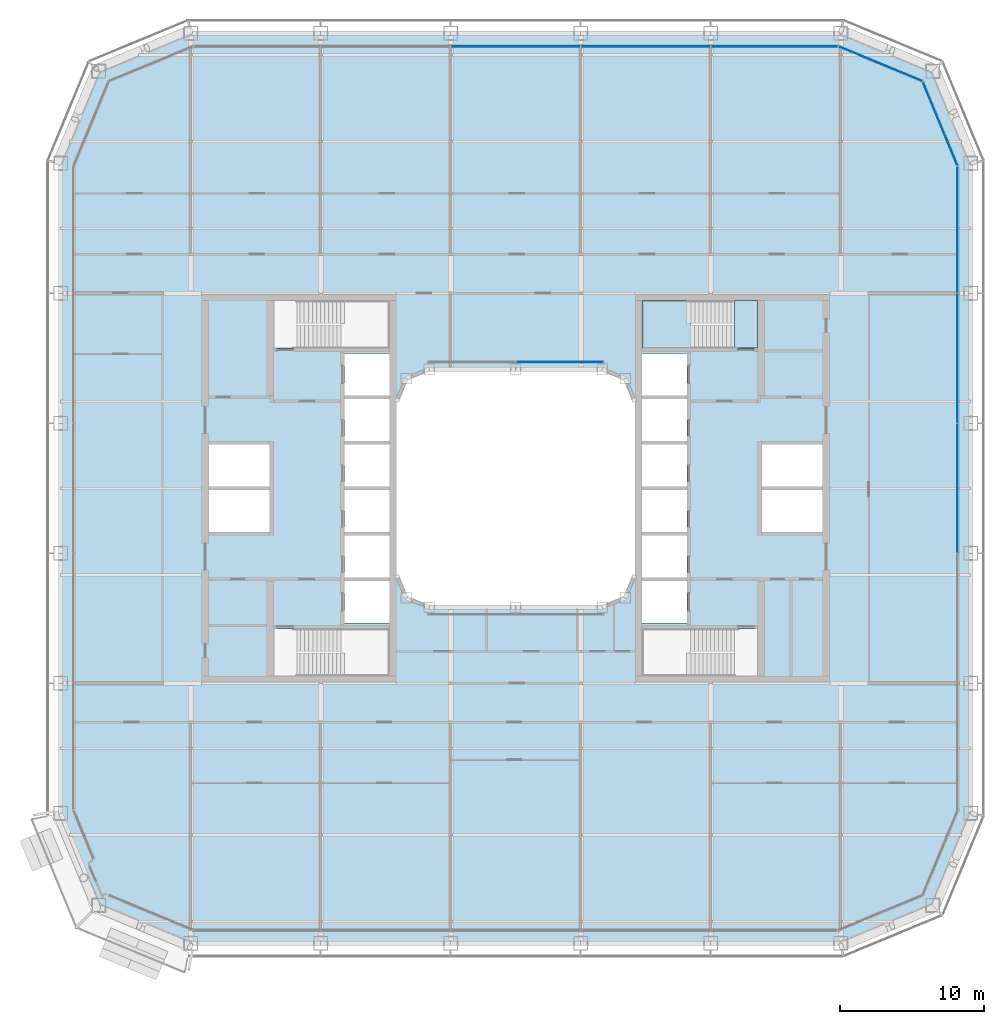
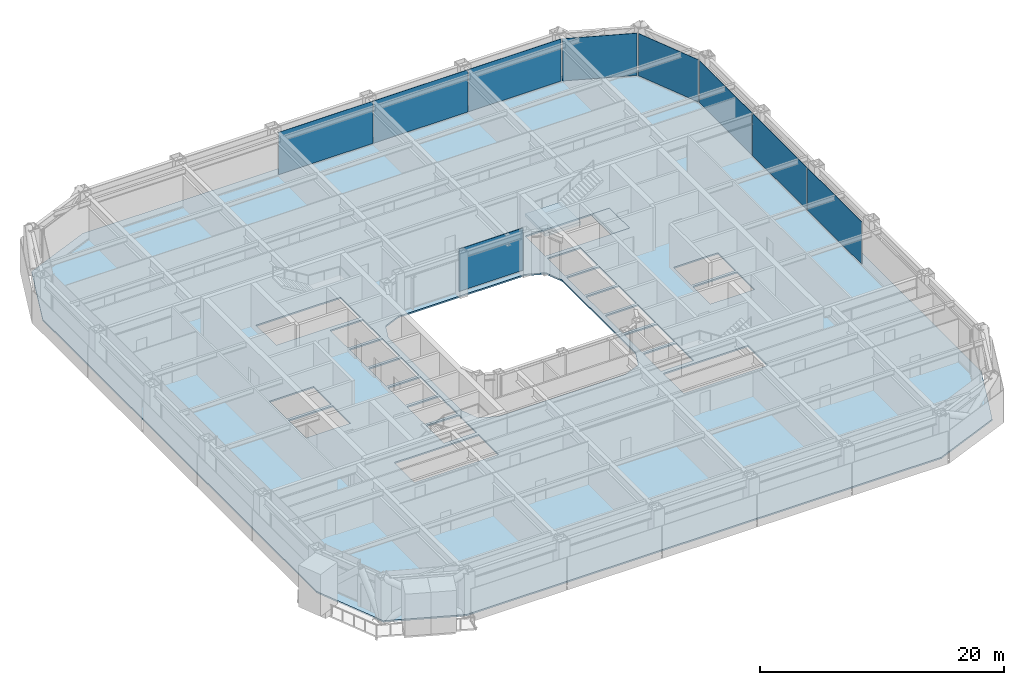
# One storey, part 12 of 27: 9 plates, 3 slabs, 6 elements without a shape of their own.
"""IFC4 building model written with IfcOpenShell, lengths in metres."""

from ifc_helpers import new_model, si_unit, direction, frame, origin, origin_2d, place, context, subcontext, project, spatial, polyline, rectangle, outline, extrude, material, layer, layer_set, type_object, element, aggregate, save


model = new_model("IFC4")

# Units and contexts
model_context = context("Model", 3, precision=1e-05, world=origin(), true_north=direction((0.0, 1.0)))
body_context = subcontext(model_context, "Body", "Model", "MODEL_VIEW")
ifc_project = project(units=[si_unit("LENGTHUNIT", "METRE"), si_unit("AREAUNIT", "SQUARE_METRE"), si_unit("VOLUMEUNIT", "CUBIC_METRE"), si_unit("PLANEANGLEUNIT", "RADIAN"), si_unit("MASSUNIT", "GRAM", prefix="KILO")], contexts=[model_context])

# Site, building, storey
site_placement = place(None, origin())
site = spatial("IfcSite", under=ifc_project, at=site_placement, CompositionType="ELEMENT")
building_placement = place(site_placement, origin())
building = spatial("IfcBuilding", under=site, at=building_placement, Name="Siwar Civic Tower", CompositionType="ELEMENT")
storey_placement = place(building_placement, frame((0.0, 0.0, 71.699951171875)))
storey = spatial("IfcBuildingStorey", under=building, at=storey_placement, Name="L15", CompositionType="ELEMENT", Elevation=71.699951171875)

# Stair, slabs
ifc_material_1 = material(Name="Concrete C40/50", Category="concrete")
stair_type = type_object("IfcStairType", Name="CORE-STAIR", PredefinedType="TWO_STRAIGHT_RUN_STAIR", material=ifc_material_1)
stair_placement = place(storey_placement, origin())
stair = element("IfcStair", 1, at=stair_placement, inside=storey, type_object=stair_type, Name="Exit stair ST3", PredefinedType="TWO_STRAIGHT_RUN_STAIR")
ifc_material_2 = material(Name="Concrete C40/50", Category="concrete")
ifc_layer_1 = layer(ifc_material_2, 0.300048828125)
ifc_layer_set_1 = layer_set([ifc_layer_1], Name="Concrete C40/50")
slab_type_1 = type_object("IfcSlabType", Name="CORE-STAIR-LANDING", PredefinedType="LANDING", material=ifc_layer_set_1)
slab_1_placement = place(storey_placement, frame((0.0, 0.0, -0.300048828125)))
slab_1 = element("IfcSlab", 2, at=slab_1_placement, type_object=slab_type_1, Name="ST3 landing 1", PredefinedType="LANDING", context=body_context, shape_type="SweptSolid", body=[
    extrude(outline(polyline([(15.14990234375, 9.699951171875), (16.75, 9.699951171875), (16.75, 13.0), (15.14990234375, 13.0), (15.14990234375, 9.699951171875)])), origin(), (0.0, 0.0, 1.0), 0.300048828125),
])
slab_2_placement = place(storey_placement, frame((0.0, 0.0, 1.949951171875)))
slab_2 = element("IfcSlab", 3, at=slab_2_placement, type_object=slab_type_1, Name="ST3 landing 2", PredefinedType="LANDING", context=body_context, shape_type="SweptSolid", body=[
    extrude(outline(polyline([(8.75, 9.699951171875), (12.139892578125, 9.699951171875), (12.139892578125, 13.0), (8.75, 13.0), (8.75, 9.699951171875)])), origin(), (0.0, 0.0, 1.0), 0.300048828125),
])
aggregate(stair, [slab_1, slab_2])

# Curtain wall, plates
ifc_material_3 = material(Name="Aluminium and glass", Category="aluminium")
ifc_layer_2 = layer(ifc_material_3, 0.219970703125)
ifc_layer_set_2 = layer_set([ifc_layer_2], Name="Aluminium and glass")
curtain_wall_type_1 = type_object("IfcCurtainWallType", Name="ENV-CW-A", PredefinedType="NOTDEFINED", material=ifc_layer_set_2)
curtain_wall_1_placement = place(storey_placement, origin())
curtain_wall_1 = element("IfcCurtainWall", 4, at=curtain_wall_1_placement, inside=storey, type_object=curtain_wall_type_1, Name="Curtain wall A E", PredefinedType="NOTDEFINED")
ifc_material_4 = material(Name="Glass clear laminated", Category="glass")
ifc_layer_3 = layer(ifc_material_4, 0.035888671875)
ifc_layer_set_3 = layer_set([ifc_layer_3], Name="Glass clear laminated")
plate_type_1 = type_object("IfcPlateType", Name="ENV-PANEL-A", PredefinedType="CURTAIN_PANEL", material=ifc_layer_set_3)
plate_1_placement = place(storey_placement, frame((30.60009765625, 0.0, 0.1201171875), z_axis=(0.0, 0.0, 1.0), x_axis=(0.0, 1.0, 0.0)))
plate_1 = element("IfcPlate", 5, at=plate_1_placement, type_object=plate_type_1, Name="Curtain panel A E 3", PredefinedType="CURTAIN_PANEL", context=body_context, shape_type="SweptSolid", body=[
    extrude(rectangle(XDim=8.929931640625, YDim=0.035888671875, at=origin_2d()), origin(), (0.0, 0.0, 1.0), 4.22998046875),
])
plate_2_placement = place(storey_placement, frame((30.60009765625, 9.0, 0.1201171875), z_axis=(0.0, 0.0, 1.0), x_axis=(0.0, 1.0, 0.0)))
plate_2 = element("IfcPlate", 6, at=plate_2_placement, type_object=plate_type_1, Name="Curtain panel A E 4", PredefinedType="CURTAIN_PANEL", context=body_context, shape_type="SweptSolid", body=[
    extrude(rectangle(XDim=8.929931640625, YDim=0.035888671875, at=origin_2d()), origin(), (0.0, 0.0, 1.0), 4.22998046875),
])
plate_3_placement = place(storey_placement, frame((30.60009765625, 17.86669921875, 0.1201171875), z_axis=(0.0, 0.0, 1.0), x_axis=(0.0, 1.0, 0.0)))
plate_3 = element("IfcPlate", 7, at=plate_3_placement, type_object=plate_type_1, Name="Curtain panel A E 5", PredefinedType="CURTAIN_PANEL", context=body_context, shape_type="SweptSolid", body=[
    extrude(rectangle(XDim=8.663330078125, YDim=0.035888671875, at=origin_2d()), origin(), (0.0, 0.0, 1.0), 4.22998046875),
])
aggregate(curtain_wall_1, [plate_1, plate_2, plate_3])

curtain_wall_2_placement = place(storey_placement, origin())
curtain_wall_2 = element("IfcCurtainWall", 8, at=curtain_wall_2_placement, inside=storey, type_object=curtain_wall_type_1, Name="Curtain wall A N", PredefinedType="NOTDEFINED")
plate_4_placement = place(storey_placement, frame((17.910400390625, 30.60009765625, 0.1201171875), z_axis=(0.0, 0.0, 1.0), x_axis=(-1.0, 0.0, 0.0)))
plate_4 = element("IfcPlate", 9, at=plate_4_placement, type_object=plate_type_1, Name="Curtain panel A N 1", PredefinedType="CURTAIN_PANEL", context=body_context, shape_type="SweptSolid", body=[
    extrude(rectangle(XDim=8.7509765625, YDim=0.035888671875, at=origin_2d()), origin(), (0.0, 0.0, 1.0), 4.22998046875),
])
plate_5_placement = place(storey_placement, frame((9.0, 30.60009765625, 0.1201171875), z_axis=(0.0, 0.0, 1.0), x_axis=(-1.0, 0.0, 0.0)))
plate_5 = element("IfcPlate", 10, at=plate_5_placement, type_object=plate_type_1, Name="Curtain panel A N 2", PredefinedType="CURTAIN_PANEL", context=body_context, shape_type="SweptSolid", body=[
    extrude(rectangle(XDim=8.929931640625, YDim=0.035888671875, at=origin_2d()), origin(), (0.0, 0.0, 1.0), 4.22998046875),
])
plate_6_placement = place(storey_placement, frame((0.0, 30.60009765625, 0.1201171875), z_axis=(0.0, 0.0, 1.0), x_axis=(-1.0, 0.0, 0.0)))
plate_6 = element("IfcPlate", 11, at=plate_6_placement, type_object=plate_type_1, Name="Curtain panel A N 3", PredefinedType="CURTAIN_PANEL", context=body_context, shape_type="SweptSolid", body=[
    extrude(rectangle(XDim=8.929931640625, YDim=0.035888671875, at=origin_2d()), origin(), (0.0, 0.0, 1.0), 4.22998046875),
])
aggregate(curtain_wall_2, [plate_4, plate_5, plate_6])

# Curtain wall, plate
ifc_material_5 = material(Name="Aluminium clad insulated panel", Category="aluminium")
ifc_layer_4 = layer(ifc_material_5, 0.219970703125)
ifc_layer_set_4 = layer_set([ifc_layer_4], Name="Aluminium clad insulated panel")
curtain_wall_type_2 = type_object("IfcCurtainWallType", Name="ENV-CW-AX", PredefinedType="NOTDEFINED", material=ifc_layer_set_4)
curtain_wall_3_placement = place(storey_placement, origin())
curtain_wall_3 = element("IfcCurtainWall", 12, at=curtain_wall_3_placement, inside=storey, type_object=curtain_wall_type_2, Name="Curtain wall A NE1", PredefinedType="NOTDEFINED")
ifc_material_6 = material(Name="Aluminium clad insulated panel", Category="aluminium")
ifc_layer_5 = layer(ifc_material_6, 0.035888671875)
ifc_layer_set_5 = layer_set([ifc_layer_5], Name="Aluminium clad insulated panel")
plate_type_2 = type_object("IfcPlateType", Name="ENV-PANEL-AX", PredefinedType="CURTAIN_PANEL", material=ifc_layer_set_5)
plate_7_placement = place(storey_placement, frame((29.404296875, 25.20751953125, 0.1201171875), z_axis=(0.0, 0.0, 1.0), x_axis=(-0.382683432365, 0.923879532511, 0.0)))
plate_7 = element("IfcPlate", 13, at=plate_7_placement, type_object=plate_type_2, Name="Curtain panel A NE1 1", PredefinedType="CURTAIN_PANEL", context=body_context, shape_type="SweptSolid", body=[
    extrude(rectangle(XDim=6.178955078125, YDim=0.035888671875, at=origin_2d()), origin(), (0.0, 0.0, 1.0), 4.22998046875),
])
aggregate(curtain_wall_3, [plate_7])

curtain_wall_4_placement = place(storey_placement, origin())
curtain_wall_4 = element("IfcCurtainWall", 14, at=curtain_wall_4_placement, inside=storey, type_object=curtain_wall_type_2, Name="Curtain wall A NE2", PredefinedType="NOTDEFINED")
plate_8_placement = place(storey_placement, frame((25.28857421875, 29.370849609375, 0.1201171875), z_axis=(0.0, 0.0, 1.0), x_axis=(-0.923879532511, 0.382683432365, 0.0)))
plate_8 = element("IfcPlate", 15, at=plate_8_placement, type_object=plate_type_2, Name="Curtain panel A NE2 1", PredefinedType="CURTAIN_PANEL", context=body_context, shape_type="SweptSolid", body=[
    extrude(rectangle(XDim=6.178955078125, YDim=0.035888671875, at=origin_2d()), origin(), (0.0, 0.0, 1.0), 4.22998046875),
])
aggregate(curtain_wall_4, [plate_8])

ifc_material_7 = material(Name="Aluminium and glass", Category="aluminium")
ifc_layer_6 = layer(ifc_material_7, 0.179931640625)
ifc_layer_set_6 = layer_set([ifc_layer_6], Name="Aluminium and glass")
curtain_wall_type_3 = type_object("IfcCurtainWallType", Name="ENV-CW-W", PredefinedType="NOTDEFINED", material=ifc_layer_set_6)
curtain_wall_5_placement = place(storey_placement, origin())
curtain_wall_5 = element("IfcCurtainWall", 16, at=curtain_wall_5_placement, inside=storey, type_object=curtain_wall_type_3, Name="Curtain wall W WN", PredefinedType="NOTDEFINED")
ifc_material_8 = material(Name="Glass clear laminated", Category="glass")
ifc_layer_7 = layer(ifc_material_8, 0.031982421875)
ifc_layer_set_7 = layer_set([ifc_layer_7], Name="Glass clear laminated")
plate_type_3 = type_object("IfcPlateType", Name="ENV-PANEL-W", PredefinedType="CURTAIN_PANEL", material=ifc_layer_set_7)
plate_9_placement = place(storey_placement, frame((3.04833984375, 8.735107421875, 0.10009765625), z_axis=(0.0, 0.0, 1.0), x_axis=(-1.0, 0.0, 0.0)))
plate_9 = element("IfcPlate", 17, at=plate_9_placement, type_object=plate_type_3, Name="Curtain panel W WN 1", PredefinedType="CURTAIN_PANEL", context=body_context, shape_type="SweptSolid", body=[
    extrude(rectangle(XDim=6.036376953125, YDim=0.031982421875, at=origin_2d()), origin(), (0.0, 0.0, 1.0), 4.25),
])
aggregate(curtain_wall_5, [plate_9])

# Slab
ifc_material_9 = material(Name="Concrete C40/50", Category="concrete")
ifc_layer_8 = layer(ifc_material_9, 0.14990234375)
ifc_layer_set_8 = layer_set([ifc_layer_8], Name="Concrete C40/50")
slab_type_2 = type_object("IfcSlabType", Name="STR-FLOOR-DECK-150", PredefinedType="FLOOR", material=ifc_layer_set_8)
slab_3_placement = place(storey_placement, frame((0.0, 0.0, -0.14990234375)))
element("IfcSlab", 18, at=slab_3_placement, inside=storey, type_object=slab_type_2, Name="L15/slab/1", PredefinedType="FLOOR", context=body_context, shape_type="SweptSolid", body=[
    extrude(outline(polyline([(-22.5, -31.5), (22.5, -31.5), (28.864013671875, -28.864013671875), (31.5, -22.5), (31.5, 22.5), (28.864013671875, 28.864013671875), (22.5, 31.5), (-22.5, 31.5), (-28.864013671875, 28.864013671875), (-31.5, 22.5), (-31.5, -22.5), (-28.864013671875, -28.864013671875), (-22.5, -31.5)]), holes=[polyline([(21.25, 3.02490234375), (21.25, 0.125), (17.050048828125, 0.125), (17.050048828125, 3.02490234375), (21.25, 3.02490234375)]), polyline([(17.050048828125, -0.125), (21.25, -0.125), (21.25, -3.02490234375), (17.050048828125, -3.02490234375), (17.050048828125, -0.125)]), polyline([(16.75, 13.0), (16.75, 9.699951171875), (8.75, 9.699951171875), (8.75, 13.0), (16.75, 13.0)]), polyline([(8.75, -9.699951171875), (16.75, -9.699951171875), (16.75, -13.0), (8.75, -13.0), (8.75, -9.699951171875)]), polyline([(11.85009765625, 9.324951171875), (11.85009765625, 6.425048828125), (8.75, 6.425048828125), (8.75, 9.324951171875), (11.85009765625, 9.324951171875)]), polyline([(11.85009765625, 3.02490234375), (11.85009765625, 0.125), (8.75, 0.125), (8.75, 3.02490234375), (11.85009765625, 3.02490234375)]), polyline([(11.85009765625, -0.125), (11.85009765625, -3.02490234375), (8.75, -3.02490234375), (8.75, -0.125), (11.85009765625, -0.125)]), polyline([(11.85009765625, -3.27490234375), (11.85009765625, -6.175048828125), (8.75, -6.175048828125), (8.75, -3.27490234375), (11.85009765625, -3.27490234375)]), polyline([(8.75, 6.175048828125), (11.85009765625, 6.175048828125), (11.85009765625, 3.27490234375), (8.75, 3.27490234375), (8.75, 6.175048828125)]), polyline([(8.75, -6.425048828125), (11.85009765625, -6.425048828125), (11.85009765625, -9.324951171875), (8.75, -9.324951171875), (8.75, -6.425048828125)]), polyline([(-6.0, 8.25), (6.0, 8.25), (7.591064453125, 7.591064453125), (8.25, 6.0), (8.25, -6.0), (7.591064453125, -7.591064453125), (6.0, -8.25), (-6.0, -8.25), (-7.591064453125, -7.591064453125), (-8.25, -6.0), (-8.25, 6.0), (-7.591064453125, 7.591064453125), (-6.0, 8.25)]), polyline([(-8.75, 9.699951171875), (-16.75, 9.699951171875), (-16.75, 13.0), (-8.75, 13.0), (-8.75, 9.699951171875)]), polyline([(-8.75, 0.125), (-11.85009765625, 0.125), (-11.85009765625, 3.02490234375), (-8.75, 3.02490234375), (-8.75, 0.125)]), polyline([(-8.75, -6.175048828125), (-11.85009765625, -6.175048828125), (-11.85009765625, -3.27490234375), (-8.75, -3.27490234375), (-8.75, -6.175048828125)]), polyline([(-8.75, -9.324951171875), (-11.85009765625, -9.324951171875), (-11.85009765625, -6.425048828125), (-8.75, -6.425048828125), (-8.75, -9.324951171875)]), polyline([(-8.75, -13.0), (-16.75, -13.0), (-16.75, -9.699951171875), (-8.75, -9.699951171875), (-8.75, -13.0)]), polyline([(-11.85009765625, 6.425048828125), (-11.85009765625, 9.324951171875), (-8.75, 9.324951171875), (-8.75, 6.425048828125), (-11.85009765625, 6.425048828125)]), polyline([(-11.85009765625, 3.27490234375), (-11.85009765625, 6.175048828125), (-8.75, 6.175048828125), (-8.75, 3.27490234375), (-11.85009765625, 3.27490234375)]), polyline([(-11.85009765625, -3.02490234375), (-11.85009765625, -0.125), (-8.75, -0.125), (-8.75, -3.02490234375), (-11.85009765625, -3.02490234375)]), polyline([(-21.25, -3.02490234375), (-21.25, -0.125), (-17.050048828125, -0.125), (-17.050048828125, -3.02490234375), (-21.25, -3.02490234375)]), polyline([(-17.050048828125, 0.125), (-21.25, 0.125), (-21.25, 3.02490234375), (-17.050048828125, 3.02490234375), (-17.050048828125, 0.125)])]), origin(), (0.0, 0.0, 1.0), 0.14990234375),
])

save(model, "model.ifc")
